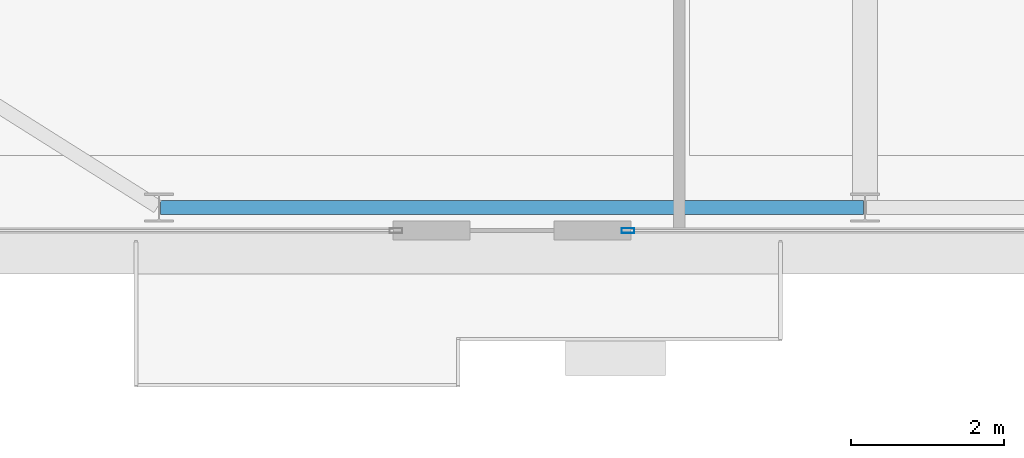
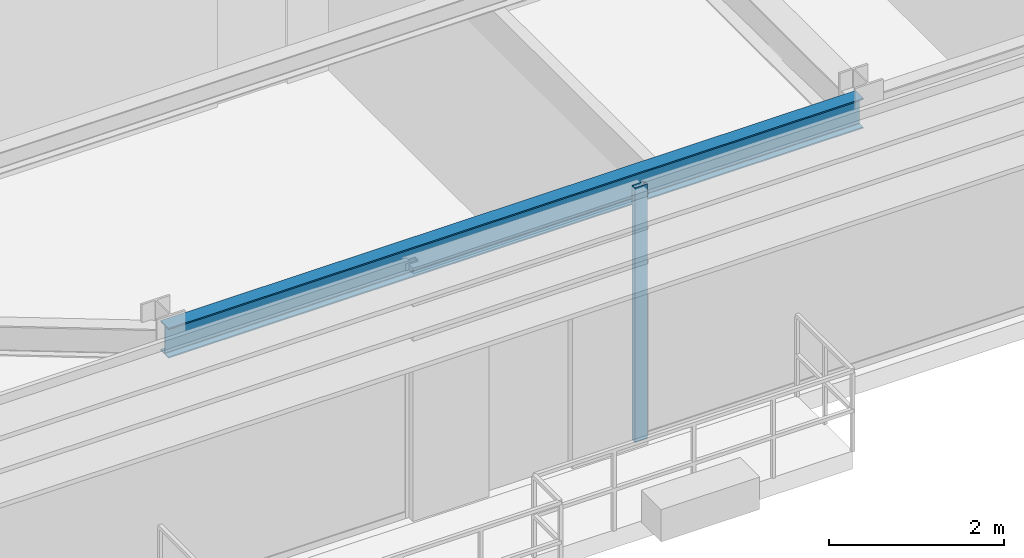
# One storey, part 5 of 30: 1 beam, 1 member, 1 element without a shape of its own.
"""IFC4 building model written with IfcOpenShell, lengths in metres."""

from ifc_helpers import new_model, si_unit, direction, frame, origin, origin_2d, place, context, subcontext, project, spatial, hollow_rectangle, i_section, extrude, source, transform, mapped, material, layer, layer_set, material_profile, profile_set, type_object, type_shapes, element, aggregate, save


model = new_model("IFC4")

# Units and contexts
model_context = context("Model", 3, precision=1e-05, world=origin(), true_north=direction((0.0, 1.0)))
body_context = subcontext(model_context, "Body", "Model", "MODEL_VIEW")
ifc_project = project(units=[si_unit("LENGTHUNIT", "METRE"), si_unit("AREAUNIT", "SQUARE_METRE"), si_unit("VOLUMEUNIT", "CUBIC_METRE"), si_unit("PLANEANGLEUNIT", "RADIAN"), si_unit("MASSUNIT", "GRAM", prefix="KILO")], contexts=[model_context])

# Site, building, storey
site_placement = place(None, origin())
site = spatial("IfcSite", under=ifc_project, at=site_placement, CompositionType="ELEMENT")
building_placement = place(site_placement, origin())
building = spatial("IfcBuilding", under=site, at=building_placement, Name="Varnel Quay Broadcast Tower", CompositionType="ELEMENT")
storey_placement = place(building_placement, frame((0.0, 0.0, 168.60009765625)))
storey = spatial("IfcBuildingStorey", under=building, at=storey_placement, Name="L41", CompositionType="ELEMENT", Elevation=168.60009765625)

# Beam
ifc_material_1 = material(Name="Structural Steel CSA G40.21 350W", Category="steel")
ifc_material_profile_1 = material_profile(ifc_material_1, i_section(OverallWidth=0.180908203125, OverallDepth=0.4169921875, WebThickness=0.010986328125, FlangeThickness=0.018310546875, FilletRadius=0.011962890625, at=origin_2d()), Name="W410X85")
ifc_profile_set_1 = profile_set([ifc_material_profile_1], Name="Structural Steel CSA G40.21 350W")
beam_type = type_object("IfcBeamType", Name="Beam_W410X85", PredefinedType="SPANDREL", material=ifc_profile_set_1)
shared_shape_1 = source(origin(), body_context, "Body", "SweptSolid", [
    extrude(i_section(OverallWidth=0.180908203125, OverallDepth=0.4169921875, WebThickness=0.010986328125, FlangeThickness=0.018310546875, FilletRadius=0.011962890625, at=origin_2d()), origin(), (0.0, 0.0, 1.0), 9.159912109375),
])
type_shapes(beam_type, [shared_shape_1])
beam_placement = place(storey_placement, frame((15.6201171875, 7.64990234375, 3.34130859375), z_axis=(1.0, 0.0, 0.0), x_axis=(0.0, 1.0, 0.0)))
element("IfcBeam", 1, at=beam_placement, inside=storey, type_object=beam_type, Name="L41 South Spandrel TC-S1-TC-S2", PredefinedType="SPANDREL", context=body_context, shape_type="MappedRepresentation", body=[
    mapped(shared_shape_1, transform((0.0, 0.0, 0.0), x_axis=(1.0, 0.0, 0.0), y_axis=(0.0, 1.0, 0.0), z_axis=(0.0, 0.0, 1.0), scale=1.0)),
])

# Curtain wall, member
ifc_material_2 = material(Name="Anodised Bronze Aluminium 6063-T6", Category="aluminium")
ifc_layer = layer(ifc_material_2, 0.18994140625, Name="Anodised Bronze Aluminium 6063-T6")
ifc_layer_set = layer_set([ifc_layer], Name="Anodised Bronze Aluminium 6063-T6")
curtain_wall_type = type_object("IfcCurtainWallType", Name="CW_UpperTower", PredefinedType="NOTDEFINED", material=ifc_layer_set)
curtain_wall_placement = place(storey_placement, origin())
curtain_wall = element("IfcCurtainWall", 2, at=curtain_wall_placement, inside=storey, type_object=curtain_wall_type, Name="L41 South Unitised Curtain Wall 2", PredefinedType="NOTDEFINED")
ifc_material_profile_2 = material_profile(ifc_material_2, hollow_rectangle(XDim=0.06494140625, YDim=0.1650390625, WallThickness=0.00341796875, at=origin_2d()), Name="ALU65X165X3.5")
ifc_profile_set_2 = profile_set([ifc_material_profile_2], Name="Anodised Bronze Aluminium 6063-T6")
member_type = type_object("IfcMemberType", Name="Mull_CWS-03", PredefinedType="MULLION", material=ifc_profile_set_2)
shared_shape_2 = source(origin(), body_context, "Body", "SweptSolid", [
    extrude(hollow_rectangle(XDim=0.06494140625, YDim=0.1650390625, WallThickness=0.00341796875, at=origin_2d()), origin(), (0.0, 0.0, 1.0), 3.5498046875),
])
type_shapes(member_type, [shared_shape_2])
member_placement = place(storey_placement, frame((21.71240234375, 7.35009765625, 0.0), z_axis=(0.0, 0.0, 1.0), x_axis=(0.0, 1.0, 0.0)))
member = element("IfcMember", 3, at=member_placement, type_object=member_type, Name="CWS-03 mullion 1", PredefinedType="MULLION", context=body_context, shape_type="MappedRepresentation", body=[
    mapped(shared_shape_2, transform((0.0, 0.0, 0.0), x_axis=(1.0, 0.0, 0.0), y_axis=(0.0, 1.0, 0.0), z_axis=(0.0, 0.0, 1.0), scale=1.0)),
])
aggregate(curtain_wall, [member])

save(model, "model.ifc")
